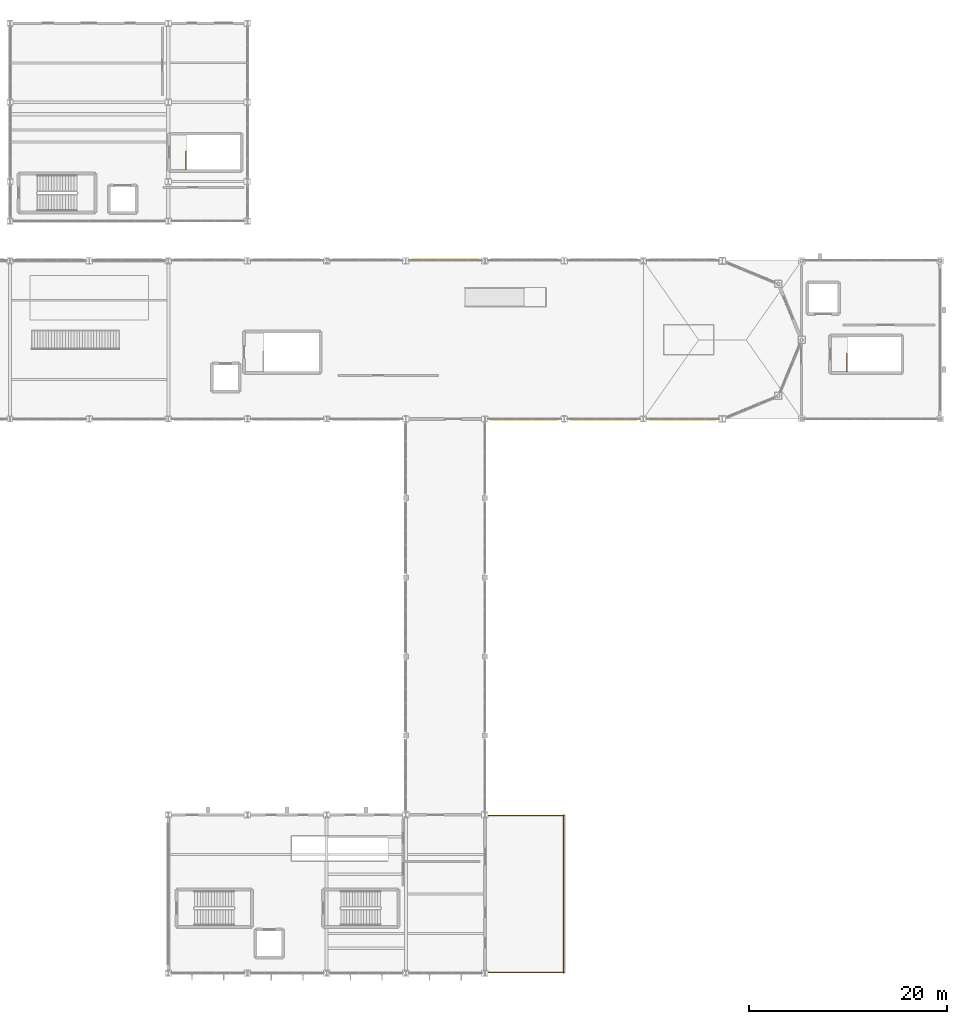
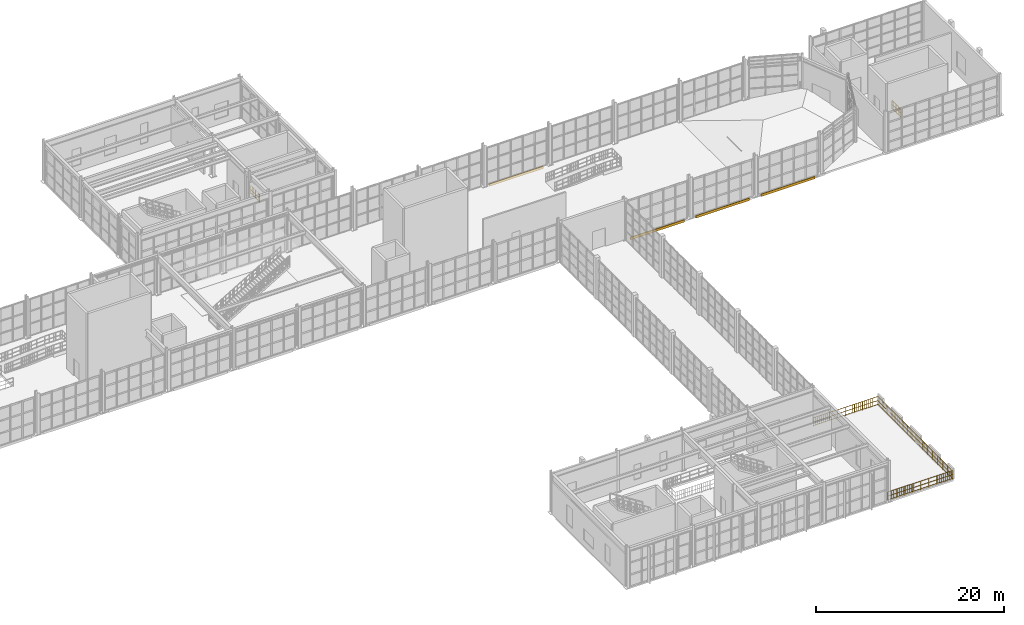
# One storey, part 81 of 82: 5 railings, 4 coverings.
"""IFC4 building model written with IfcOpenShell, lengths in metres."""

from ifc_helpers import new_model, si_unit, direction, frame, origin, origin_2d, place, context, subcontext, project, spatial, rectangle, extrude, material, layer, layer_set, type_object, element, save


model = new_model("IFC4")

# Units and contexts
model_context = context("Model", 3, precision=1e-05, world=origin(), true_north=direction((0.0, 1.0)))
body_context = subcontext(model_context, "Body", "Model", "MODEL_VIEW")
ifc_project = project(units=[si_unit("LENGTHUNIT", "METRE"), si_unit("AREAUNIT", "SQUARE_METRE"), si_unit("VOLUMEUNIT", "CUBIC_METRE"), si_unit("PLANEANGLEUNIT", "RADIAN"), si_unit("MASSUNIT", "GRAM", prefix="KILO")], contexts=[model_context])

# Site, building, storey
site_placement = place(None, origin())
site = spatial("IfcSite", under=ifc_project, at=site_placement, CompositionType="ELEMENT")
building_placement = place(site_placement, origin())
building = spatial("IfcBuilding", under=site, at=building_placement, Name="Serraluz Foothill Cableway Terminal", CompositionType="ELEMENT")
storey_placement = place(building_placement, frame((0.0, 0.0, 9.60009765625)))
storey = spatial("IfcBuildingStorey", under=building, at=storey_placement, Name="L02", CompositionType="ELEMENT", Elevation=9.60009765625)

# Coverings
ifc_material_1 = material(Name="Fired clay masonry brick (f'm 12 MPa)", Category="masonry")
ifc_layer_1 = layer(ifc_material_1, 0.090087890625, Name="Fired clay masonry brick (f'm 12 MPa)", Category="masonry")
ifc_layer_set_1 = layer_set([ifc_layer_1], Name="Fired clay masonry brick (f'm 12 MPa)")
covering_type = type_object("IfcCoveringType", Name="TYP-COV-CLAD-90", PredefinedType="CLADDING", material=ifc_layer_set_1)
for number, where, z_axis, x_axis, name in (
    (1, (132.0, 55.969970703125, -0.3203125), (0.0, 0.0, 1.0), (1.0, 0.0, 0.0), "Terracotta Spandrel Relief Band COV-CLAD-V1S-12"),
    (2, (140.0, 55.969970703125, -0.3203125), (0.0, 0.0, 1.0), (1.0, 0.0, 0.0), "Terracotta Spandrel Relief Band COV-CLAD-V1S-13"),
    (3, (148.0, 55.969970703125, -0.3203125), (0.0, 0.0, 1.0), (1.0, 0.0, 0.0), "Terracotta Spandrel Relief Band COV-CLAD-V1S-14"),
    (4, (124.0, 72.030029296875, -0.3203125), (0.0, 0.0, 1.0), (1.0, 0.0, 0.0), "Terracotta Spandrel Relief Band COV-CLAD-V1N-11"),
):
    element("IfcCovering", number, at=place(storey_placement, frame(where, z_axis=z_axis, x_axis=x_axis)), inside=storey, type_object=covering_type, Name=name, PredefinedType="CLADDING", context=body_context, shape_type="SweptSolid", body=[
        extrude(rectangle(XDim=6.60009765625, YDim=0.090087890625, at=origin_2d()), origin(), (0.0, 0.0, 1.0), 0.320068359375),
    ])

# Railings
ifc_material_2 = material(Name="Steel ASTM A572 Grade 50", Category="steel")
ifc_layer_2 = layer(ifc_material_2, 0.06005859375, Name="Steel ASTM A572 Grade 50", Category="steel")
ifc_layer_set_2 = layer_set([ifc_layer_2], Name="Steel ASTM A572 Grade 50")
railing_type_1 = type_object("IfcRailingType", Name="TYP-RL-BAL-1150", PredefinedType="BALUSTRADE", material=ifc_layer_set_2)
railing_1_placement = place(storey_placement, frame((128.0, 0.080078125, 0.0)))
element("IfcRailing", 5, at=railing_1_placement, inside=storey, type_object=railing_type_1, Name="BALUSTRADE BAL-TER-L02-V3-1", PredefinedType="BALUSTRADE", context=body_context, shape_type="SweptSolid", body=[
    extrude(rectangle(XDim=0.048095703125, YDim=0.048095703125, at=origin_2d()), frame((0.0, 0.0, 1.1259765625), z_axis=(1.0, 0.0, 0.0), x_axis=(0.0, 1.0, 0.0)), (0.0, 0.0, 1.0), 8.0),
    extrude(rectangle(XDim=0.048095703125, YDim=0.048095703125, at=origin_2d()), frame((0.0, 0.0, 0.597900390625), z_axis=(1.0, 0.0, 0.0), x_axis=(0.0, 1.0, 0.0)), (0.0, 0.0, 1.0), 8.0),
    extrude(rectangle(XDim=0.048095703125, YDim=0.048095703125, at=origin_2d()), frame((0.0, 0.0, 0.1201171875), z_axis=(1.0, 0.0, 0.0), x_axis=(0.0, 1.0, 0.0)), (0.0, 0.0, 1.0), 8.0),
    extrude(rectangle(XDim=0.02001953125, YDim=0.02001953125, at=origin_2d()), frame((0.242431640625, 0.0, 0.1201171875)), (0.0, 0.0, 1.0), 0.981689453125),
    extrude(rectangle(XDim=0.02001953125, YDim=0.02001953125, at=origin_2d()), frame((0.48486328125, 0.0, 0.1201171875)), (0.0, 0.0, 1.0), 0.981689453125),
    extrude(rectangle(XDim=0.02001953125, YDim=0.02001953125, at=origin_2d()), frame((0.727294921875, 0.0, 0.1201171875)), (0.0, 0.0, 1.0), 0.981689453125),
    extrude(rectangle(XDim=0.02001953125, YDim=0.02001953125, at=origin_2d()), frame((1.212158203125, 0.0, 0.1201171875)), (0.0, 0.0, 1.0), 0.981689453125),
    extrude(rectangle(XDim=0.02001953125, YDim=0.02001953125, at=origin_2d()), frame((1.45458984375, 0.0, 0.1201171875)), (0.0, 0.0, 1.0), 0.981689453125),
    extrude(rectangle(XDim=0.02001953125, YDim=0.02001953125, at=origin_2d()), frame((1.697021484375, 0.0, 0.1201171875)), (0.0, 0.0, 1.0), 0.981689453125),
    extrude(rectangle(XDim=0.02001953125, YDim=0.02001953125, at=origin_2d()), frame((1.939453125, 0.0, 0.1201171875)), (0.0, 0.0, 1.0), 0.981689453125),
    extrude(rectangle(XDim=0.02001953125, YDim=0.02001953125, at=origin_2d()), frame((2.181884765625, 0.0, 0.1201171875)), (0.0, 0.0, 1.0), 0.981689453125),
    extrude(rectangle(XDim=0.02001953125, YDim=0.02001953125, at=origin_2d()), frame((2.42431640625, 0.0, 0.1201171875)), (0.0, 0.0, 1.0), 0.981689453125),
    extrude(rectangle(XDim=0.02001953125, YDim=0.02001953125, at=origin_2d()), frame((2.666748046875, 0.0, 0.1201171875)), (0.0, 0.0, 1.0), 0.981689453125),
    extrude(rectangle(XDim=0.02001953125, YDim=0.02001953125, at=origin_2d()), frame((2.9091796875, 0.0, 0.1201171875)), (0.0, 0.0, 1.0), 0.981689453125),
    extrude(rectangle(XDim=0.02001953125, YDim=0.02001953125, at=origin_2d()), frame((3.151611328125, 0.0, 0.1201171875)), (0.0, 0.0, 1.0), 0.981689453125),
    extrude(rectangle(XDim=0.02001953125, YDim=0.02001953125, at=origin_2d()), frame((3.39404296875, 0.0, 0.1201171875)), (0.0, 0.0, 1.0), 0.981689453125),
    extrude(rectangle(XDim=0.02001953125, YDim=0.02001953125, at=origin_2d()), frame((3.636474609375, 0.0, 0.1201171875)), (0.0, 0.0, 1.0), 0.981689453125),
    extrude(rectangle(XDim=0.02001953125, YDim=0.02001953125, at=origin_2d()), frame((3.87890625, 0.0, 0.1201171875)), (0.0, 0.0, 1.0), 0.981689453125),
    extrude(rectangle(XDim=0.02001953125, YDim=0.02001953125, at=origin_2d()), frame((4.12109375, 0.0, 0.1201171875)), (0.0, 0.0, 1.0), 0.981689453125),
    extrude(rectangle(XDim=0.02001953125, YDim=0.02001953125, at=origin_2d()), frame((4.363525390625, 0.0, 0.1201171875)), (0.0, 0.0, 1.0), 0.981689453125),
    extrude(rectangle(XDim=0.02001953125, YDim=0.02001953125, at=origin_2d()), frame((4.60595703125, 0.0, 0.1201171875)), (0.0, 0.0, 1.0), 0.981689453125),
    extrude(rectangle(XDim=0.02001953125, YDim=0.02001953125, at=origin_2d()), frame((4.848388671875, 0.0, 0.1201171875)), (0.0, 0.0, 1.0), 0.981689453125),
    extrude(rectangle(XDim=0.02001953125, YDim=0.02001953125, at=origin_2d()), frame((5.0908203125, 0.0, 0.1201171875)), (0.0, 0.0, 1.0), 0.981689453125),
    extrude(rectangle(XDim=0.02001953125, YDim=0.02001953125, at=origin_2d()), frame((5.333251953125, 0.0, 0.1201171875)), (0.0, 0.0, 1.0), 0.981689453125),
    extrude(rectangle(XDim=0.02001953125, YDim=0.02001953125, at=origin_2d()), frame((5.57568359375, 0.0, 0.1201171875)), (0.0, 0.0, 1.0), 0.981689453125),
    extrude(rectangle(XDim=0.02001953125, YDim=0.02001953125, at=origin_2d()), frame((5.818115234375, 0.0, 0.1201171875)), (0.0, 0.0, 1.0), 0.981689453125),
    extrude(rectangle(XDim=0.02001953125, YDim=0.02001953125, at=origin_2d()), frame((6.060546875, 0.0, 0.1201171875)), (0.0, 0.0, 1.0), 0.981689453125),
    extrude(rectangle(XDim=0.02001953125, YDim=0.02001953125, at=origin_2d()), frame((6.302978515625, 0.0, 0.1201171875)), (0.0, 0.0, 1.0), 0.981689453125),
    extrude(rectangle(XDim=0.02001953125, YDim=0.02001953125, at=origin_2d()), frame((6.54541015625, 0.0, 0.1201171875)), (0.0, 0.0, 1.0), 0.981689453125),
    extrude(rectangle(XDim=0.02001953125, YDim=0.02001953125, at=origin_2d()), frame((6.787841796875, 0.0, 0.1201171875)), (0.0, 0.0, 1.0), 0.981689453125),
    extrude(rectangle(XDim=0.02001953125, YDim=0.02001953125, at=origin_2d()), frame((7.272705078125, 0.0, 0.1201171875)), (0.0, 0.0, 1.0), 0.981689453125),
    extrude(rectangle(XDim=0.02001953125, YDim=0.02001953125, at=origin_2d()), frame((7.51513671875, 0.0, 0.1201171875)), (0.0, 0.0, 1.0), 0.981689453125),
    extrude(rectangle(XDim=0.02001953125, YDim=0.02001953125, at=origin_2d()), frame((7.757568359375, 0.0, 0.1201171875)), (0.0, 0.0, 1.0), 0.981689453125),
    extrude(rectangle(XDim=0.0439453125, YDim=0.0439453125, at=origin_2d()), origin(), (0.0, 0.0, 1.0), 1.101806640625),
    extrude(rectangle(XDim=0.0439453125, YDim=0.0439453125, at=origin_2d()), frame((1.0, 0.0, 0.0)), (0.0, 0.0, 1.0), 1.101806640625),
    extrude(rectangle(XDim=0.0439453125, YDim=0.0439453125, at=origin_2d()), frame((2.0, 0.0, 0.0)), (0.0, 0.0, 1.0), 1.101806640625),
    extrude(rectangle(XDim=0.0439453125, YDim=0.0439453125, at=origin_2d()), frame((3.0, 0.0, 0.0)), (0.0, 0.0, 1.0), 1.101806640625),
    extrude(rectangle(XDim=0.0439453125, YDim=0.0439453125, at=origin_2d()), frame((4.0, 0.0, 0.0)), (0.0, 0.0, 1.0), 1.101806640625),
    extrude(rectangle(XDim=0.0439453125, YDim=0.0439453125, at=origin_2d()), frame((5.0, 0.0, 0.0)), (0.0, 0.0, 1.0), 1.101806640625),
    extrude(rectangle(XDim=0.0439453125, YDim=0.0439453125, at=origin_2d()), frame((6.0, 0.0, 0.0)), (0.0, 0.0, 1.0), 1.101806640625),
    extrude(rectangle(XDim=0.0439453125, YDim=0.0439453125, at=origin_2d()), frame((7.0, 0.0, 0.0)), (0.0, 0.0, 1.0), 1.101806640625),
    extrude(rectangle(XDim=0.0439453125, YDim=0.0439453125, at=origin_2d()), frame((8.0, 0.0, 0.0)), (0.0, 0.0, 1.0), 1.101806640625),
])
railing_2_placement = place(storey_placement, frame((135.919921875, 0.0, 0.0)))
element("IfcRailing", 6, at=railing_2_placement, inside=storey, type_object=railing_type_1, Name="BALUSTRADE BAL-TER-L02-V3-2", PredefinedType="BALUSTRADE", context=body_context, shape_type="SweptSolid", body=[
    extrude(rectangle(XDim=0.048095703125, YDim=0.048095703125, at=origin_2d()), frame((0.0, 0.0, 1.1259765625), z_axis=(0.0, 1.0, 0.0), x_axis=(-1.0, 0.0, 0.0)), (0.0, 0.0, 1.0), 16.0),
    extrude(rectangle(XDim=0.048095703125, YDim=0.048095703125, at=origin_2d()), frame((0.0, 0.0, 0.597900390625), z_axis=(0.0, 1.0, 0.0), x_axis=(-1.0, 0.0, 0.0)), (0.0, 0.0, 1.0), 16.0),
    extrude(rectangle(XDim=0.048095703125, YDim=0.048095703125, at=origin_2d()), frame((0.0, 0.0, 0.1201171875), z_axis=(0.0, 1.0, 0.0), x_axis=(-1.0, 0.0, 0.0)), (0.0, 0.0, 1.0), 16.0),
    extrude(rectangle(XDim=0.02001953125, YDim=0.02001953125, at=origin_2d()), frame((0.0, 0.242431640625, 0.1201171875)), (0.0, 0.0, 1.0), 0.981689453125),
    extrude(rectangle(XDim=0.02001953125, YDim=0.02001953125, at=origin_2d()), frame((0.0, 0.48486328125, 0.1201171875)), (0.0, 0.0, 1.0), 0.981689453125),
    extrude(rectangle(XDim=0.02001953125, YDim=0.02001953125, at=origin_2d()), frame((0.0, 0.727294921875, 0.1201171875)), (0.0, 0.0, 1.0), 0.981689453125),
    extrude(rectangle(XDim=0.02001953125, YDim=0.02001953125, at=origin_2d()), frame((0.0, 0.9697265625, 0.1201171875)), (0.0, 0.0, 1.0), 0.981689453125),
    extrude(rectangle(XDim=0.02001953125, YDim=0.02001953125, at=origin_2d()), frame((0.0, 1.212158203125, 0.1201171875)), (0.0, 0.0, 1.0), 0.981689453125),
    extrude(rectangle(XDim=0.02001953125, YDim=0.02001953125, at=origin_2d()), frame((0.0, 1.45458984375, 0.1201171875)), (0.0, 0.0, 1.0), 0.981689453125),
    extrude(rectangle(XDim=0.02001953125, YDim=0.02001953125, at=origin_2d()), frame((0.0, 1.697021484375, 0.1201171875)), (0.0, 0.0, 1.0), 0.981689453125),
    extrude(rectangle(XDim=0.02001953125, YDim=0.02001953125, at=origin_2d()), frame((0.0, 1.939453125, 0.1201171875)), (0.0, 0.0, 1.0), 0.981689453125),
    extrude(rectangle(XDim=0.02001953125, YDim=0.02001953125, at=origin_2d()), frame((0.0, 2.42431640625, 0.1201171875)), (0.0, 0.0, 1.0), 0.981689453125),
    extrude(rectangle(XDim=0.02001953125, YDim=0.02001953125, at=origin_2d()), frame((0.0, 2.666748046875, 0.1201171875)), (0.0, 0.0, 1.0), 0.981689453125),
    extrude(rectangle(XDim=0.02001953125, YDim=0.02001953125, at=origin_2d()), frame((0.0, 2.9091796875, 0.1201171875)), (0.0, 0.0, 1.0), 0.981689453125),
    extrude(rectangle(XDim=0.02001953125, YDim=0.02001953125, at=origin_2d()), frame((0.0, 3.39404296875, 0.1201171875)), (0.0, 0.0, 1.0), 0.981689453125),
    extrude(rectangle(XDim=0.02001953125, YDim=0.02001953125, at=origin_2d()), frame((0.0, 3.636474609375, 0.1201171875)), (0.0, 0.0, 1.0), 0.981689453125),
    extrude(rectangle(XDim=0.02001953125, YDim=0.02001953125, at=origin_2d()), frame((0.0, 3.87890625, 0.1201171875)), (0.0, 0.0, 1.0), 0.981689453125),
    extrude(rectangle(XDim=0.02001953125, YDim=0.02001953125, at=origin_2d()), frame((0.0, 4.12109375, 0.1201171875)), (0.0, 0.0, 1.0), 0.981689453125),
    extrude(rectangle(XDim=0.02001953125, YDim=0.02001953125, at=origin_2d()), frame((0.0, 4.363525390625, 0.1201171875)), (0.0, 0.0, 1.0), 0.981689453125),
    extrude(rectangle(XDim=0.02001953125, YDim=0.02001953125, at=origin_2d()), frame((0.0, 4.60595703125, 0.1201171875)), (0.0, 0.0, 1.0), 0.981689453125),
    extrude(rectangle(XDim=0.02001953125, YDim=0.02001953125, at=origin_2d()), frame((0.0, 4.848388671875, 0.1201171875)), (0.0, 0.0, 1.0), 0.981689453125),
    extrude(rectangle(XDim=0.02001953125, YDim=0.02001953125, at=origin_2d()), frame((0.0, 5.0908203125, 0.1201171875)), (0.0, 0.0, 1.0), 0.981689453125),
    extrude(rectangle(XDim=0.02001953125, YDim=0.02001953125, at=origin_2d()), frame((0.0, 5.57568359375, 0.1201171875)), (0.0, 0.0, 1.0), 0.981689453125),
    extrude(rectangle(XDim=0.02001953125, YDim=0.02001953125, at=origin_2d()), frame((0.0, 5.818115234375, 0.1201171875)), (0.0, 0.0, 1.0), 0.981689453125),
    extrude(rectangle(XDim=0.02001953125, YDim=0.02001953125, at=origin_2d()), frame((0.0, 6.060546875, 0.1201171875)), (0.0, 0.0, 1.0), 0.981689453125),
    extrude(rectangle(XDim=0.02001953125, YDim=0.02001953125, at=origin_2d()), frame((0.0, 6.302978515625, 0.1201171875)), (0.0, 0.0, 1.0), 0.981689453125),
    extrude(rectangle(XDim=0.02001953125, YDim=0.02001953125, at=origin_2d()), frame((0.0, 6.54541015625, 0.1201171875)), (0.0, 0.0, 1.0), 0.981689453125),
    extrude(rectangle(XDim=0.02001953125, YDim=0.02001953125, at=origin_2d()), frame((0.0, 6.787841796875, 0.1201171875)), (0.0, 0.0, 1.0), 0.981689453125),
    extrude(rectangle(XDim=0.02001953125, YDim=0.02001953125, at=origin_2d()), frame((0.0, 7.0302734375, 0.1201171875)), (0.0, 0.0, 1.0), 0.981689453125),
    extrude(rectangle(XDim=0.02001953125, YDim=0.02001953125, at=origin_2d()), frame((0.0, 7.272705078125, 0.1201171875)), (0.0, 0.0, 1.0), 0.981689453125),
    extrude(rectangle(XDim=0.02001953125, YDim=0.02001953125, at=origin_2d()), frame((0.0, 7.757568359375, 0.1201171875)), (0.0, 0.0, 1.0), 0.981689453125),
    extrude(rectangle(XDim=0.02001953125, YDim=0.02001953125, at=origin_2d()), frame((0.0, 8.0, 0.1201171875)), (0.0, 0.0, 1.0), 0.981689453125),
    extrude(rectangle(XDim=0.02001953125, YDim=0.02001953125, at=origin_2d()), frame((0.0, 8.242431640625, 0.1201171875)), (0.0, 0.0, 1.0), 0.981689453125),
    extrude(rectangle(XDim=0.02001953125, YDim=0.02001953125, at=origin_2d()), frame((0.0, 8.727294921875, 0.1201171875)), (0.0, 0.0, 1.0), 0.981689453125),
    extrude(rectangle(XDim=0.02001953125, YDim=0.02001953125, at=origin_2d()), frame((0.0, 8.9697265625, 0.1201171875)), (0.0, 0.0, 1.0), 0.981689453125),
    extrude(rectangle(XDim=0.02001953125, YDim=0.02001953125, at=origin_2d()), frame((0.0, 9.212158203125, 0.1201171875)), (0.0, 0.0, 1.0), 0.981689453125),
    extrude(rectangle(XDim=0.02001953125, YDim=0.02001953125, at=origin_2d()), frame((0.0, 9.45458984375, 0.1201171875)), (0.0, 0.0, 1.0), 0.981689453125),
    extrude(rectangle(XDim=0.02001953125, YDim=0.02001953125, at=origin_2d()), frame((0.0, 9.697021484375, 0.1201171875)), (0.0, 0.0, 1.0), 0.981689453125),
    extrude(rectangle(XDim=0.02001953125, YDim=0.02001953125, at=origin_2d()), frame((0.0, 9.939453125, 0.1201171875)), (0.0, 0.0, 1.0), 0.981689453125),
    extrude(rectangle(XDim=0.02001953125, YDim=0.02001953125, at=origin_2d()), frame((0.0, 10.181884765625, 0.1201171875)), (0.0, 0.0, 1.0), 0.981689453125),
    extrude(rectangle(XDim=0.02001953125, YDim=0.02001953125, at=origin_2d()), frame((0.0, 10.42431640625, 0.1201171875)), (0.0, 0.0, 1.0), 0.981689453125),
    extrude(rectangle(XDim=0.02001953125, YDim=0.02001953125, at=origin_2d()), frame((0.0, 10.9091796875, 0.1201171875)), (0.0, 0.0, 1.0), 0.981689453125),
    extrude(rectangle(XDim=0.02001953125, YDim=0.02001953125, at=origin_2d()), frame((0.0, 11.151611328125, 0.1201171875)), (0.0, 0.0, 1.0), 0.981689453125),
    extrude(rectangle(XDim=0.02001953125, YDim=0.02001953125, at=origin_2d()), frame((0.0, 11.39404296875, 0.1201171875)), (0.0, 0.0, 1.0), 0.981689453125),
    extrude(rectangle(XDim=0.02001953125, YDim=0.02001953125, at=origin_2d()), frame((0.0, 11.636474609375, 0.1201171875)), (0.0, 0.0, 1.0), 0.981689453125),
    extrude(rectangle(XDim=0.02001953125, YDim=0.02001953125, at=origin_2d()), frame((0.0, 11.87890625, 0.1201171875)), (0.0, 0.0, 1.0), 0.981689453125),
    extrude(rectangle(XDim=0.02001953125, YDim=0.02001953125, at=origin_2d()), frame((0.0, 12.12109375, 0.1201171875)), (0.0, 0.0, 1.0), 0.981689453125),
    extrude(rectangle(XDim=0.02001953125, YDim=0.02001953125, at=origin_2d()), frame((0.0, 12.363525390625, 0.1201171875)), (0.0, 0.0, 1.0), 0.981689453125),
    extrude(rectangle(XDim=0.02001953125, YDim=0.02001953125, at=origin_2d()), frame((0.0, 12.60595703125, 0.1201171875)), (0.0, 0.0, 1.0), 0.981689453125),
    extrude(rectangle(XDim=0.02001953125, YDim=0.02001953125, at=origin_2d()), frame((0.0, 13.0908203125, 0.1201171875)), (0.0, 0.0, 1.0), 0.981689453125),
    extrude(rectangle(XDim=0.02001953125, YDim=0.02001953125, at=origin_2d()), frame((0.0, 13.333251953125, 0.1201171875)), (0.0, 0.0, 1.0), 0.981689453125),
    extrude(rectangle(XDim=0.02001953125, YDim=0.02001953125, at=origin_2d()), frame((0.0, 13.57568359375, 0.1201171875)), (0.0, 0.0, 1.0), 0.981689453125),
    extrude(rectangle(XDim=0.02001953125, YDim=0.02001953125, at=origin_2d()), frame((0.0, 14.060546875, 0.1201171875)), (0.0, 0.0, 1.0), 0.981689453125),
    extrude(rectangle(XDim=0.02001953125, YDim=0.02001953125, at=origin_2d()), frame((0.0, 14.302978515625, 0.1201171875)), (0.0, 0.0, 1.0), 0.981689453125),
    extrude(rectangle(XDim=0.02001953125, YDim=0.02001953125, at=origin_2d()), frame((0.0, 14.54541015625, 0.1201171875)), (0.0, 0.0, 1.0), 0.981689453125),
    extrude(rectangle(XDim=0.02001953125, YDim=0.02001953125, at=origin_2d()), frame((0.0, 14.787841796875, 0.1201171875)), (0.0, 0.0, 1.0), 0.981689453125),
    extrude(rectangle(XDim=0.02001953125, YDim=0.02001953125, at=origin_2d()), frame((0.0, 15.0302734375, 0.1201171875)), (0.0, 0.0, 1.0), 0.981689453125),
    extrude(rectangle(XDim=0.02001953125, YDim=0.02001953125, at=origin_2d()), frame((0.0, 15.272705078125, 0.1201171875)), (0.0, 0.0, 1.0), 0.981689453125),
    extrude(rectangle(XDim=0.02001953125, YDim=0.02001953125, at=origin_2d()), frame((0.0, 15.51513671875, 0.1201171875)), (0.0, 0.0, 1.0), 0.981689453125),
    extrude(rectangle(XDim=0.02001953125, YDim=0.02001953125, at=origin_2d()), frame((0.0, 15.757568359375, 0.1201171875)), (0.0, 0.0, 1.0), 0.981689453125),
    extrude(rectangle(XDim=0.0439453125, YDim=0.0439453125, at=origin_2d()), origin(), (0.0, 0.0, 1.0), 1.101806640625),
    extrude(rectangle(XDim=0.0439453125, YDim=0.0439453125, at=origin_2d()), frame((0.0, 1.066650390625, 0.0)), (0.0, 0.0, 1.0), 1.101806640625),
    extrude(rectangle(XDim=0.0439453125, YDim=0.0439453125, at=origin_2d()), frame((0.0, 2.13330078125, 0.0)), (0.0, 0.0, 1.0), 1.101806640625),
    extrude(rectangle(XDim=0.0439453125, YDim=0.0439453125, at=origin_2d()), frame((0.0, 3.199951171875, 0.0)), (0.0, 0.0, 1.0), 1.101806640625),
    extrude(rectangle(XDim=0.0439453125, YDim=0.0439453125, at=origin_2d()), frame((0.0, 4.2666015625, 0.0)), (0.0, 0.0, 1.0), 1.101806640625),
    extrude(rectangle(XDim=0.0439453125, YDim=0.0439453125, at=origin_2d()), frame((0.0, 5.333251953125, 0.0)), (0.0, 0.0, 1.0), 1.101806640625),
    extrude(rectangle(XDim=0.0439453125, YDim=0.0439453125, at=origin_2d()), frame((0.0, 6.39990234375, 0.0)), (0.0, 0.0, 1.0), 1.101806640625),
    extrude(rectangle(XDim=0.0439453125, YDim=0.0439453125, at=origin_2d()), frame((0.0, 7.466552734375, 0.0)), (0.0, 0.0, 1.0), 1.101806640625),
    extrude(rectangle(XDim=0.0439453125, YDim=0.0439453125, at=origin_2d()), frame((0.0, 8.533447265625, 0.0)), (0.0, 0.0, 1.0), 1.101806640625),
    extrude(rectangle(XDim=0.0439453125, YDim=0.0439453125, at=origin_2d()), frame((0.0, 9.60009765625, 0.0)), (0.0, 0.0, 1.0), 1.101806640625),
    extrude(rectangle(XDim=0.0439453125, YDim=0.0439453125, at=origin_2d()), frame((0.0, 10.666748046875, 0.0)), (0.0, 0.0, 1.0), 1.101806640625),
    extrude(rectangle(XDim=0.0439453125, YDim=0.0439453125, at=origin_2d()), frame((0.0, 11.7333984375, 0.0)), (0.0, 0.0, 1.0), 1.101806640625),
    extrude(rectangle(XDim=0.0439453125, YDim=0.0439453125, at=origin_2d()), frame((0.0, 12.800048828125, 0.0)), (0.0, 0.0, 1.0), 1.101806640625),
    extrude(rectangle(XDim=0.0439453125, YDim=0.0439453125, at=origin_2d()), frame((0.0, 13.86669921875, 0.0)), (0.0, 0.0, 1.0), 1.101806640625),
    extrude(rectangle(XDim=0.0439453125, YDim=0.0439453125, at=origin_2d()), frame((0.0, 14.933349609375, 0.0)), (0.0, 0.0, 1.0), 1.101806640625),
    extrude(rectangle(XDim=0.0439453125, YDim=0.0439453125, at=origin_2d()), frame((0.0, 16.0, 0.0)), (0.0, 0.0, 1.0), 1.101806640625),
])
railing_3_placement = place(storey_placement, frame((136.0, 15.919921875, 0.0)))
element("IfcRailing", 7, at=railing_3_placement, inside=storey, type_object=railing_type_1, Name="BALUSTRADE BAL-TER-L02-V3-3", PredefinedType="BALUSTRADE", context=body_context, shape_type="SweptSolid", body=[
    extrude(rectangle(XDim=0.048095703125, YDim=0.048095703125, at=origin_2d()), frame((0.0, 0.0, 1.1259765625), z_axis=(-1.0, 0.0, 0.0), x_axis=(0.0, -1.0, 0.0)), (0.0, 0.0, 1.0), 8.0),
    extrude(rectangle(XDim=0.048095703125, YDim=0.048095703125, at=origin_2d()), frame((0.0, 0.0, 0.597900390625), z_axis=(-1.0, 0.0, 0.0), x_axis=(0.0, -1.0, 0.0)), (0.0, 0.0, 1.0), 8.0),
    extrude(rectangle(XDim=0.048095703125, YDim=0.048095703125, at=origin_2d()), frame((0.0, 0.0, 0.1201171875), z_axis=(-1.0, 0.0, 0.0), x_axis=(0.0, -1.0, 0.0)), (0.0, 0.0, 1.0), 8.0),
    extrude(rectangle(XDim=0.02001953125, YDim=0.02001953125, at=origin_2d()), frame((-0.242431640625, 0.0, 0.1201171875)), (0.0, 0.0, 1.0), 0.981689453125),
    extrude(rectangle(XDim=0.02001953125, YDim=0.02001953125, at=origin_2d()), frame((-0.48486328125, 0.0, 0.1201171875)), (0.0, 0.0, 1.0), 0.981689453125),
    extrude(rectangle(XDim=0.02001953125, YDim=0.02001953125, at=origin_2d()), frame((-0.727294921875, 0.0, 0.1201171875)), (0.0, 0.0, 1.0), 0.981689453125),
    extrude(rectangle(XDim=0.02001953125, YDim=0.02001953125, at=origin_2d()), frame((-1.212158203125, 0.0, 0.1201171875)), (0.0, 0.0, 1.0), 0.981689453125),
    extrude(rectangle(XDim=0.02001953125, YDim=0.02001953125, at=origin_2d()), frame((-1.45458984375, 0.0, 0.1201171875)), (0.0, 0.0, 1.0), 0.981689453125),
    extrude(rectangle(XDim=0.02001953125, YDim=0.02001953125, at=origin_2d()), frame((-1.697021484375, 0.0, 0.1201171875)), (0.0, 0.0, 1.0), 0.981689453125),
    extrude(rectangle(XDim=0.02001953125, YDim=0.02001953125, at=origin_2d()), frame((-1.939453125, 0.0, 0.1201171875)), (0.0, 0.0, 1.0), 0.981689453125),
    extrude(rectangle(XDim=0.02001953125, YDim=0.02001953125, at=origin_2d()), frame((-2.181884765625, 0.0, 0.1201171875)), (0.0, 0.0, 1.0), 0.981689453125),
    extrude(rectangle(XDim=0.02001953125, YDim=0.02001953125, at=origin_2d()), frame((-2.42431640625, 0.0, 0.1201171875)), (0.0, 0.0, 1.0), 0.981689453125),
    extrude(rectangle(XDim=0.02001953125, YDim=0.02001953125, at=origin_2d()), frame((-2.666748046875, 0.0, 0.1201171875)), (0.0, 0.0, 1.0), 0.981689453125),
    extrude(rectangle(XDim=0.02001953125, YDim=0.02001953125, at=origin_2d()), frame((-2.9091796875, 0.0, 0.1201171875)), (0.0, 0.0, 1.0), 0.981689453125),
    extrude(rectangle(XDim=0.02001953125, YDim=0.02001953125, at=origin_2d()), frame((-3.151611328125, 0.0, 0.1201171875)), (0.0, 0.0, 1.0), 0.981689453125),
    extrude(rectangle(XDim=0.02001953125, YDim=0.02001953125, at=origin_2d()), frame((-3.39404296875, 0.0, 0.1201171875)), (0.0, 0.0, 1.0), 0.981689453125),
    extrude(rectangle(XDim=0.02001953125, YDim=0.02001953125, at=origin_2d()), frame((-3.636474609375, 0.0, 0.1201171875)), (0.0, 0.0, 1.0), 0.981689453125),
    extrude(rectangle(XDim=0.02001953125, YDim=0.02001953125, at=origin_2d()), frame((-3.87890625, 0.0, 0.1201171875)), (0.0, 0.0, 1.0), 0.981689453125),
    extrude(rectangle(XDim=0.02001953125, YDim=0.02001953125, at=origin_2d()), frame((-4.12109375, 0.0, 0.1201171875)), (0.0, 0.0, 1.0), 0.981689453125),
    extrude(rectangle(XDim=0.02001953125, YDim=0.02001953125, at=origin_2d()), frame((-4.363525390625, 0.0, 0.1201171875)), (0.0, 0.0, 1.0), 0.981689453125),
    extrude(rectangle(XDim=0.02001953125, YDim=0.02001953125, at=origin_2d()), frame((-4.60595703125, 0.0, 0.1201171875)), (0.0, 0.0, 1.0), 0.981689453125),
    extrude(rectangle(XDim=0.02001953125, YDim=0.02001953125, at=origin_2d()), frame((-4.848388671875, 0.0, 0.1201171875)), (0.0, 0.0, 1.0), 0.981689453125),
    extrude(rectangle(XDim=0.02001953125, YDim=0.02001953125, at=origin_2d()), frame((-5.0908203125, 0.0, 0.1201171875)), (0.0, 0.0, 1.0), 0.981689453125),
    extrude(rectangle(XDim=0.02001953125, YDim=0.02001953125, at=origin_2d()), frame((-5.333251953125, 0.0, 0.1201171875)), (0.0, 0.0, 1.0), 0.981689453125),
    extrude(rectangle(XDim=0.02001953125, YDim=0.02001953125, at=origin_2d()), frame((-5.57568359375, 0.0, 0.1201171875)), (0.0, 0.0, 1.0), 0.981689453125),
    extrude(rectangle(XDim=0.02001953125, YDim=0.02001953125, at=origin_2d()), frame((-5.818115234375, 0.0, 0.1201171875)), (0.0, 0.0, 1.0), 0.981689453125),
    extrude(rectangle(XDim=0.02001953125, YDim=0.02001953125, at=origin_2d()), frame((-6.060546875, 0.0, 0.1201171875)), (0.0, 0.0, 1.0), 0.981689453125),
    extrude(rectangle(XDim=0.02001953125, YDim=0.02001953125, at=origin_2d()), frame((-6.302978515625, 0.0, 0.1201171875)), (0.0, 0.0, 1.0), 0.981689453125),
    extrude(rectangle(XDim=0.02001953125, YDim=0.02001953125, at=origin_2d()), frame((-6.54541015625, 0.0, 0.1201171875)), (0.0, 0.0, 1.0), 0.981689453125),
    extrude(rectangle(XDim=0.02001953125, YDim=0.02001953125, at=origin_2d()), frame((-6.787841796875, 0.0, 0.1201171875)), (0.0, 0.0, 1.0), 0.981689453125),
    extrude(rectangle(XDim=0.02001953125, YDim=0.02001953125, at=origin_2d()), frame((-7.272705078125, 0.0, 0.1201171875)), (0.0, 0.0, 1.0), 0.981689453125),
    extrude(rectangle(XDim=0.02001953125, YDim=0.02001953125, at=origin_2d()), frame((-7.51513671875, 0.0, 0.1201171875)), (0.0, 0.0, 1.0), 0.981689453125),
    extrude(rectangle(XDim=0.02001953125, YDim=0.02001953125, at=origin_2d()), frame((-7.757568359375, 0.0, 0.1201171875)), (0.0, 0.0, 1.0), 0.981689453125),
    extrude(rectangle(XDim=0.0439453125, YDim=0.0439453125, at=origin_2d()), origin(), (0.0, 0.0, 1.0), 1.101806640625),
    extrude(rectangle(XDim=0.0439453125, YDim=0.0439453125, at=origin_2d()), frame((-1.0, 0.0, 0.0)), (0.0, 0.0, 1.0), 1.101806640625),
    extrude(rectangle(XDim=0.0439453125, YDim=0.0439453125, at=origin_2d()), frame((-2.0, 0.0, 0.0)), (0.0, 0.0, 1.0), 1.101806640625),
    extrude(rectangle(XDim=0.0439453125, YDim=0.0439453125, at=origin_2d()), frame((-3.0, 0.0, 0.0)), (0.0, 0.0, 1.0), 1.101806640625),
    extrude(rectangle(XDim=0.0439453125, YDim=0.0439453125, at=origin_2d()), frame((-4.0, 0.0, 0.0)), (0.0, 0.0, 1.0), 1.101806640625),
    extrude(rectangle(XDim=0.0439453125, YDim=0.0439453125, at=origin_2d()), frame((-5.0, 0.0, 0.0)), (0.0, 0.0, 1.0), 1.101806640625),
    extrude(rectangle(XDim=0.0439453125, YDim=0.0439453125, at=origin_2d()), frame((-6.0, 0.0, 0.0)), (0.0, 0.0, 1.0), 1.101806640625),
    extrude(rectangle(XDim=0.0439453125, YDim=0.0439453125, at=origin_2d()), frame((-7.0, 0.0, 0.0)), (0.0, 0.0, 1.0), 1.101806640625),
    extrude(rectangle(XDim=0.0439453125, YDim=0.0439453125, at=origin_2d()), frame((-8.0, 0.0, 0.0)), (0.0, 0.0, 1.0), 1.101806640625),
])
ifc_layer_3 = layer(ifc_material_2, 0.054931640625, Name="Steel ASTM A572 Grade 50", Category="steel")
ifc_layer_set_3 = layer_set([ifc_layer_3], Name="Steel ASTM A572 Grade 50")
railing_type_2 = type_object("IfcRailingType", Name="TYP-RL-GRD-1150", PredefinedType="GUARDRAIL", material=ifc_layer_set_3)
railing_4_placement = place(storey_placement, frame((164.610107421875, 60.800048828125, 0.0)))
element("IfcRailing", 8, at=railing_4_placement, inside=storey, type_object=railing_type_2, Name="L02 ST-05 top well guard 1", PredefinedType="GUARDRAIL", context=body_context, shape_type="SweptSolid", body=[
    extrude(rectangle(XDim=0.048095703125, YDim=0.048095703125, at=origin_2d()), frame((0.0, 0.0, 1.1259765625), z_axis=(0.0, 1.0, 0.0), x_axis=(-1.0, 0.0, 0.0)), (0.0, 0.0, 1.0), 1.820068359375),
    extrude(rectangle(XDim=0.048095703125, YDim=0.048095703125, at=origin_2d()), frame((0.0, 0.0, 0.597900390625), z_axis=(0.0, 1.0, 0.0), x_axis=(-1.0, 0.0, 0.0)), (0.0, 0.0, 1.0), 1.820068359375),
    extrude(rectangle(XDim=0.048095703125, YDim=0.048095703125, at=origin_2d()), frame((0.0, 0.0, 0.1201171875), z_axis=(0.0, 1.0, 0.0), x_axis=(-1.0, 0.0, 0.0)), (0.0, 0.0, 1.0), 1.820068359375),
    extrude(rectangle(XDim=0.02001953125, YDim=0.02001953125, at=origin_2d()), frame((0.0, 0.260009765625, 0.1201171875)), (0.0, 0.0, 1.0), 0.981689453125),
    extrude(rectangle(XDim=0.02001953125, YDim=0.02001953125, at=origin_2d()), frame((0.0, 0.52001953125, 0.1201171875)), (0.0, 0.0, 1.0), 0.981689453125),
    extrude(rectangle(XDim=0.02001953125, YDim=0.02001953125, at=origin_2d()), frame((0.0, 0.780029296875, 0.1201171875)), (0.0, 0.0, 1.0), 0.981689453125),
    extrude(rectangle(XDim=0.02001953125, YDim=0.02001953125, at=origin_2d()), frame((0.0, 1.0400390625, 0.1201171875)), (0.0, 0.0, 1.0), 0.981689453125),
    extrude(rectangle(XDim=0.02001953125, YDim=0.02001953125, at=origin_2d()), frame((0.0, 1.300048828125, 0.1201171875)), (0.0, 0.0, 1.0), 0.981689453125),
    extrude(rectangle(XDim=0.02001953125, YDim=0.02001953125, at=origin_2d()), frame((0.0, 1.56005859375, 0.1201171875)), (0.0, 0.0, 1.0), 0.981689453125),
    extrude(rectangle(XDim=0.0439453125, YDim=0.0439453125, at=origin_2d()), origin(), (0.0, 0.0, 1.0), 1.101806640625),
    extrude(rectangle(XDim=0.0439453125, YDim=0.0439453125, at=origin_2d()), frame((0.0, 0.91015625, 0.0)), (0.0, 0.0, 1.0), 1.101806640625),
    extrude(rectangle(XDim=0.0439453125, YDim=0.0439453125, at=origin_2d()), frame((0.0, 1.820068359375, 0.0)), (0.0, 0.0, 1.0), 1.101806640625),
])
railing_5_placement = place(storey_placement, frame((97.81005859375, 81.199951171875, 0.0)))
element("IfcRailing", 9, at=railing_5_placement, inside=storey, type_object=railing_type_2, Name="L02 ST-09 top well guard 1", PredefinedType="GUARDRAIL", context=body_context, shape_type="SweptSolid", body=[
    extrude(rectangle(XDim=0.048095703125, YDim=0.048095703125, at=origin_2d()), frame((0.0, 0.0, 1.1259765625), z_axis=(0.0, 1.0, 0.0), x_axis=(-1.0, 0.0, 0.0)), (0.0, 0.0, 1.0), 1.820068359375),
    extrude(rectangle(XDim=0.048095703125, YDim=0.048095703125, at=origin_2d()), frame((0.0, 0.0, 0.597900390625), z_axis=(0.0, 1.0, 0.0), x_axis=(-1.0, 0.0, 0.0)), (0.0, 0.0, 1.0), 1.820068359375),
    extrude(rectangle(XDim=0.048095703125, YDim=0.048095703125, at=origin_2d()), frame((0.0, 0.0, 0.1201171875), z_axis=(0.0, 1.0, 0.0), x_axis=(-1.0, 0.0, 0.0)), (0.0, 0.0, 1.0), 1.820068359375),
    extrude(rectangle(XDim=0.02001953125, YDim=0.02001953125, at=origin_2d()), frame((0.0, 0.260009765625, 0.1201171875)), (0.0, 0.0, 1.0), 0.981689453125),
    extrude(rectangle(XDim=0.02001953125, YDim=0.02001953125, at=origin_2d()), frame((0.0, 0.52001953125, 0.1201171875)), (0.0, 0.0, 1.0), 0.981689453125),
    extrude(rectangle(XDim=0.02001953125, YDim=0.02001953125, at=origin_2d()), frame((0.0, 0.780029296875, 0.1201171875)), (0.0, 0.0, 1.0), 0.981689453125),
    extrude(rectangle(XDim=0.02001953125, YDim=0.02001953125, at=origin_2d()), frame((0.0, 1.0400390625, 0.1201171875)), (0.0, 0.0, 1.0), 0.981689453125),
    extrude(rectangle(XDim=0.02001953125, YDim=0.02001953125, at=origin_2d()), frame((0.0, 1.300048828125, 0.1201171875)), (0.0, 0.0, 1.0), 0.981689453125),
    extrude(rectangle(XDim=0.02001953125, YDim=0.02001953125, at=origin_2d()), frame((0.0, 1.56005859375, 0.1201171875)), (0.0, 0.0, 1.0), 0.981689453125),
    extrude(rectangle(XDim=0.0439453125, YDim=0.0439453125, at=origin_2d()), origin(), (0.0, 0.0, 1.0), 1.101806640625),
    extrude(rectangle(XDim=0.0439453125, YDim=0.0439453125, at=origin_2d()), frame((0.0, 0.91015625, 0.0)), (0.0, 0.0, 1.0), 1.101806640625),
    extrude(rectangle(XDim=0.0439453125, YDim=0.0439453125, at=origin_2d()), frame((0.0, 1.820068359375, 0.0)), (0.0, 0.0, 1.0), 1.101806640625),
])

save(model, "model.ifc")
